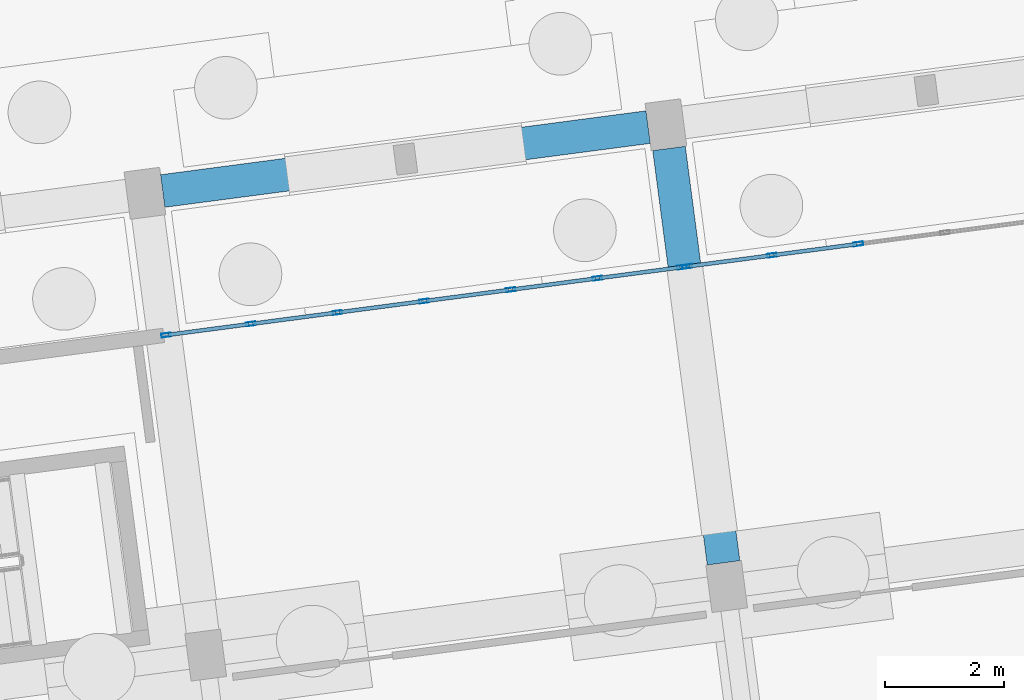
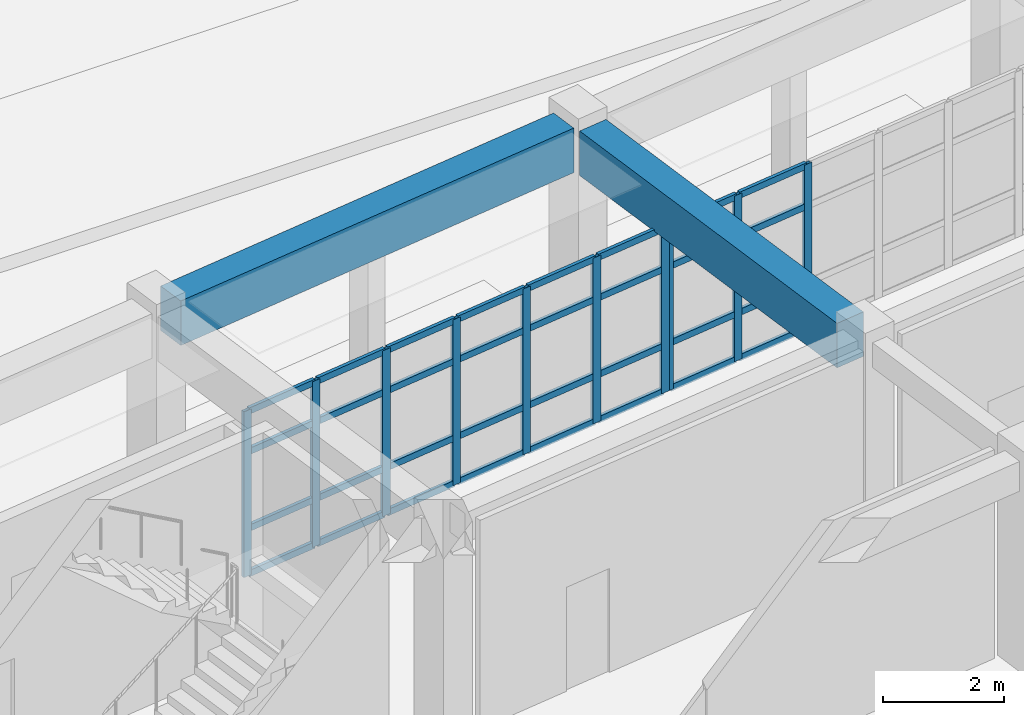
# One storey, part 66 of 154: 42 members, 2 beams, 2 elements without a shape of their own.
"""IFC4 building model written with IfcOpenShell, lengths in metres."""

import ifcopenshell
import ifcopenshell.guid

model = None  # the IFC model being written
_history = None  # IfcOwnerHistory: only IFC2X3 demands one
_inside = {}  # id of a spatial element -> (the spatial element, [elements in it])
_under = {}  # id of a project, library or spatial element -> (it, [spatial elements below it])
_declared = {}  # id of a project -> (the project, [libraries it declares])
_typed = {}  # id of a type object -> (the type object, [elements of that type])
_made_of = {}  # id of a material, layer set ... -> (it, [elements and type objects made of it])


def new_model(schema):
    """Start an empty IFC model of exactly this schema.

    Asked for "IFC4X3", IfcOpenShell would pick the latest addendum, in which some entities
    have other attributes; the version numbers below select the first issue.
    IFC2X3 requires an IfcOwnerHistory on every rooted entity: one is made here for all.
    """
    global model, _history
    if schema == "IFC4X3":
        model = ifcopenshell.file(schema_version=(4, 3, 0, 0))
    else:
        model = ifcopenshell.file(schema=schema)
    _inside.clear()
    _under.clear()
    _declared.clear()
    _typed.clear()
    _made_of.clear()
    _history = None
    if model.schema == "IFC2X3":
        org = make("IfcOrganization", Name="unknown")
        user = make(
            "IfcPersonAndOrganization",
            ThePerson=make("IfcPerson", FamilyName="unknown"),
            TheOrganization=org,
        )
        app = make(
            "IfcApplication",
            ApplicationDeveloper=org,
            Version="unknown",
            ApplicationFullName="unknown",
            ApplicationIdentifier="unknown",
        )
        _history = make(
            "IfcOwnerHistory",
            OwningUser=user,
            OwningApplication=app,
            ChangeAction="ADDED",
            CreationDate=0,
        )
    return model


def make(cls, **values):
    """One entity of the class cls with the attributes given. An attribute that is None is left unset."""
    return model.create_entity(
        cls, **{name: value for name, value in values.items() if value is not None}
    )


def rooted(cls, **values):
    """An entity with a GlobalId (a new one), such as an element, a storey or a relation."""
    return make(cls, GlobalId=ifcopenshell.guid.new(), OwnerHistory=_history, **values)


def si_unit(unit_type, name, prefix=None):
    """IfcSIUnit, for example si_unit("LENGTHUNIT", "METRE", prefix="MILLI")."""
    return make("IfcSIUnit", UnitType=unit_type, Prefix=prefix, Name=name)


def assignment(units):
    """IfcUnitAssignment: the units of a project."""
    return None if units is None else make("IfcUnitAssignment", Units=units)


def point(xyz):
    """IfcCartesianPoint."""
    return None if xyz is None else make("IfcCartesianPoint", Coordinates=xyz)


def direction(xyz):
    """IfcDirection."""
    return None if xyz is None else make("IfcDirection", DirectionRatios=xyz)


def frame(location, z_axis=None, x_axis=None):
    """IfcAxis2Placement3D, a coordinate frame: its origin and axes. An axis left out is left unset."""
    return make(
        "IfcAxis2Placement3D",
        Location=point(location),
        Axis=direction(z_axis),
        RefDirection=direction(x_axis),
    )


def frame_2d(location, x_axis=None):
    """IfcAxis2Placement2D, a coordinate frame in the plane: its origin and x axis."""
    return make(
        "IfcAxis2Placement2D", Location=point(location), RefDirection=direction(x_axis)
    )


def origin():
    """The frame at (0, 0, 0) with its axes left unset."""
    return frame((0.0, 0.0, 0.0))


def origin_2d():
    """The frame at (0, 0) in the plane with its x axis left unset."""
    return frame_2d((0.0, 0.0))


def place(relative_to, where):
    """IfcLocalPlacement: puts the frame where relative to a parent placement (None: the world)."""
    return make(
        "IfcLocalPlacement", PlacementRelTo=relative_to, RelativePlacement=where
    )


def context(
    kind, dimensions, precision=None, world=None, true_north=None, identifier=None
):
    """IfcGeometricRepresentationContext, for example the 3D "Model" context."""
    return make(
        "IfcGeometricRepresentationContext",
        ContextIdentifier=identifier,
        ContextType=kind,
        CoordinateSpaceDimension=dimensions,
        Precision=precision,
        WorldCoordinateSystem=world,
        TrueNorth=true_north,
    )


def subcontext(parent, identifier, kind, view, scale=None):
    """IfcGeometricRepresentationSubContext, for example "Body" below "Model"."""
    return make(
        "IfcGeometricRepresentationSubContext",
        ContextIdentifier=identifier,
        ContextType=kind,
        ParentContext=parent,
        TargetScale=scale,
        TargetView=view,
    )


def project(units=None, contexts=None):
    """IfcProject with its units and contexts."""
    return rooted(
        "IfcProject",
        Name="project",
        RepresentationContexts=contexts,
        UnitsInContext=assignment(units),
    )


def spatial(cls, under=None, at=None, **own):
    """A site, building, storey or space (cls), placed at a placement, below another one or the project."""
    s = rooted(cls, ObjectPlacement=at, **own)
    if under is not None:
        _under.setdefault(under.id(), (under, []))[1].append(s)
    return s


def profile(cls, at=None, kind="AREA", **sizes):
    """A parametric profile (cls). Its sizes go by their IFC names, for example OverallWidth=200.0."""
    return make(cls, ProfileType=kind, Position=at, **sizes)


def rectangle(**sizes):
    """IfcRectangleProfileDef."""
    return profile("IfcRectangleProfileDef", **sizes)


def hollow_rectangle(**sizes):
    """IfcRectangleHollowProfileDef."""
    return profile("IfcRectangleHollowProfileDef", **sizes)


def extrude(swept, where, along, depth):
    """IfcExtrudedAreaSolid: the profile swept, set in the frame where, extruded along a direction by depth."""
    return make(
        "IfcExtrudedAreaSolid",
        SweptArea=swept,
        Position=where,
        ExtrudedDirection=direction(along),
        Depth=depth,
    )


def shape(context_of_items, identifier, shape_type, items):
    """IfcShapeRepresentation: the items that make up one representation, for example the "Body"."""
    return make(
        "IfcShapeRepresentation",
        ContextOfItems=context_of_items,
        RepresentationIdentifier=identifier,
        RepresentationType=shape_type,
        Items=items,
    )


def material(Name=None, Category=None):
    """IfcMaterial."""
    return make("IfcMaterial", Name=Name, Category=Category)


def material_profile(
    of_material, cross_section, Name=None, Category=None, Priority=None
):
    """IfcMaterialProfile: a cross section and its material."""
    return make(
        "IfcMaterialProfile",
        Name=Name,
        Material=of_material,
        Profile=cross_section,
        Priority=Priority,
        Category=Category,
    )


def profile_set(profiles, Name=None, composite=None):
    """IfcMaterialProfileSet."""
    return make(
        "IfcMaterialProfileSet",
        Name=Name,
        MaterialProfiles=profiles,
        CompositeProfile=composite,
    )


def made_of(thing, what):
    """Note that an element or type object is made of a material, layer set ...; save() writes the relation."""
    if what is not None:
        _made_of.setdefault(what.id(), (what, []))[1].append(thing)
    return thing


def type_object(cls, material=None, **own):
    """A type object (cls), such as IfcWallType, which elements share."""
    return made_of(rooted(cls, **own), material)


def element(
    cls,
    number,
    at=None,
    inside=None,
    cuts=None,
    type_object=None,
    material=None,
    context=None,
    identifier="Body",
    shape_type=None,
    held_by="IfcProductDefinitionShape",
    body=None,
    shapes=None,
    **own,
):
    """One element of the class cls, such as IfcWall. Its Tag is "e" and its number.

    at: its placement. inside: the storey or other place that contains it. cuts: it is an
    opening in that element (IfcRelVoidsElement). A single representation is given by context,
    identifier, shape_type and body (its items); several are given by shapes. held_by: the class
    of the entity that holds the representations. save() writes the other relations.
    """
    e = rooted(cls, Tag="e%d" % number, ObjectPlacement=at, **own)
    if body is not None:
        shapes = [shape(context, identifier, shape_type, body)]
    if shapes is not None:
        e.Representation = make(held_by, Representations=shapes)
    if inside is not None:
        _inside.setdefault(inside.id(), (inside, []))[1].append(e)
    if cuts is not None:
        rooted(
            "IfcRelVoidsElement", RelatingBuildingElement=cuts, RelatedOpeningElement=e
        )
    if type_object is not None:
        _typed.setdefault(type_object.id(), (type_object, []))[1].append(e)
    return made_of(e, material)


def aggregate(whole, parts):
    """IfcRelAggregates: a whole, such as a stair, and the parts it consists of."""
    return rooted("IfcRelAggregates", RelatingObject=whole, RelatedObjects=parts)


def save(model, path):
    """Write the relations noted so far, then the file.

    IfcRelAggregates (storeys below a building ...), IfcRelContainedInSpatialStructure (elements
    in a storey), IfcRelDefinesByType, IfcRelAssociatesMaterial and IfcRelDeclares: one each for
    every whole, place, type object, material and project.
    """
    for whole, parts in _under.values():
        aggregate(whole, parts)
    for where, things in _inside.values():
        rooted(
            "IfcRelContainedInSpatialStructure",
            RelatedElements=things,
            RelatingStructure=where,
        )
    for kind, things in _typed.values():
        rooted("IfcRelDefinesByType", RelatedObjects=things, RelatingType=kind)
    for what, things in _made_of.values():
        rooted("IfcRelAssociatesMaterial", RelatedObjects=things, RelatingMaterial=what)
    for by, libraries in _declared.values():
        rooted("IfcRelDeclares", RelatingContext=by, RelatedDefinitions=libraries)
    model.write(path)


model = new_model("IFC4")

# Units and contexts
model_context = context("Model", 3, precision=1e-05, world=origin(), true_north=direction((0.0, 1.0)))
body_context = subcontext(model_context, "Body", "Model", "MODEL_VIEW")
ifc_project = project(units=[si_unit("LENGTHUNIT", "METRE"), si_unit("AREAUNIT", "SQUARE_METRE"), si_unit("VOLUMEUNIT", "CUBIC_METRE"), si_unit("PLANEANGLEUNIT", "RADIAN"), si_unit("MASSUNIT", "GRAM", prefix="KILO")], contexts=[model_context])

# Site, building, storey
site_placement = place(None, origin())
site = spatial("IfcSite", under=ifc_project, at=site_placement, CompositionType="ELEMENT")
building_placement = place(site_placement, origin())
building = spatial("IfcBuilding", under=site, at=building_placement, Name="Kestramere Prow Commons", CompositionType="ELEMENT")
storey_placement = place(building_placement, origin())
storey = spatial("IfcBuildingStorey", under=building, at=storey_placement, Name="L00", CompositionType="ELEMENT", Elevation=0.0)

# Curtain wall, members
ifc_material_1 = material(Name="Anodised Aluminium and Low-E Glass", Category="aluminium")
curtain_wall_type = type_object("IfcCurtainWallType", Name="CW-01 Glazed Curtain Wall 8780x3350", PredefinedType="USERDEFINED", material=ifc_material_1)
curtain_wall_1_placement = place(storey_placement, origin())
curtain_wall_1 = element("IfcCurtainWall", 1, at=curtain_wall_1_placement, inside=storey, type_object=curtain_wall_type, Name="Block A L00 North Courtyard Storefront 4", ObjectType="GLAZED CURTAIN WALL", PredefinedType="USERDEFINED")
ifc_material_2 = material(Name="Anodised Aluminium 6063-T6", Category="aluminium")
ifc_material_profile_1 = material_profile(ifc_material_2, hollow_rectangle(XDim=0.06494140625, YDim=0.159912109375, WallThickness=0.00390625, at=origin_2d()), Name="ALU-MUL 65x160")
ifc_profile_set_1 = profile_set([ifc_material_profile_1], Name="Anodised Aluminium 6063-T6")
member_type_1 = type_object("IfcMemberType", Name="CW-MUL-65x160", PredefinedType="MULLION", material=ifc_profile_set_1)
member_1_placement = place(storey_placement, frame((35.119140625, 92.90087890625, 0.0), z_axis=(0.0, 0.0, 1.0), x_axis=(-0.130526194106, 0.991444861125, 0.0)))
member_1 = element("IfcMember", 2, at=member_1_placement, type_object=member_type_1, Name="CW-01 mullion 1", PredefinedType="MULLION", context=body_context, shape_type="SweptSolid", body=[
    extrude(hollow_rectangle(XDim=0.06494140625, YDim=0.159912109375, WallThickness=0.00390625, at=origin_2d()), origin(), (0.0, 0.0, 1.0), 3.35009765625),
])
member_2_placement = place(storey_placement, frame((36.53759765625, 93.087646484375, 0.0), z_axis=(0.0, 0.0, 1.0), x_axis=(-0.130526194106, 0.991444861125, 0.0)))
member_2 = element("IfcMember", 3, at=member_2_placement, type_object=member_type_1, Name="CW-01 mullion 2", PredefinedType="MULLION", context=body_context, shape_type="SweptSolid", body=[
    extrude(hollow_rectangle(XDim=0.06494140625, YDim=0.159912109375, WallThickness=0.00390625, at=origin_2d()), origin(), (0.0, 0.0, 1.0), 3.35009765625),
])
member_3_placement = place(storey_placement, frame((37.988525390625, 93.278564453125, 0.0), z_axis=(0.0, 0.0, 1.0), x_axis=(-0.130526194106, 0.991444861125, 0.0)))
member_3 = element("IfcMember", 4, at=member_3_placement, type_object=member_type_1, Name="CW-01 mullion 3", PredefinedType="MULLION", context=body_context, shape_type="SweptSolid", body=[
    extrude(hollow_rectangle(XDim=0.06494140625, YDim=0.159912109375, WallThickness=0.00390625, at=origin_2d()), origin(), (0.0, 0.0, 1.0), 3.35009765625),
])
member_4_placement = place(storey_placement, frame((39.439208984375, 93.4697265625, 0.0), z_axis=(0.0, 0.0, 1.0), x_axis=(-0.130526194106, 0.991444861125, 0.0)))
member_4 = element("IfcMember", 5, at=member_4_placement, type_object=member_type_1, Name="CW-01 mullion 4", PredefinedType="MULLION", context=body_context, shape_type="SweptSolid", body=[
    extrude(hollow_rectangle(XDim=0.06494140625, YDim=0.159912109375, WallThickness=0.00390625, at=origin_2d()), origin(), (0.0, 0.0, 1.0), 3.35009765625),
])
member_5_placement = place(storey_placement, frame((40.89013671875, 93.66064453125, 0.0), z_axis=(0.0, 0.0, 1.0), x_axis=(-0.130526194106, 0.991444861125, 0.0)))
member_5 = element("IfcMember", 6, at=member_5_placement, type_object=member_type_1, Name="CW-01 mullion 5", PredefinedType="MULLION", context=body_context, shape_type="SweptSolid", body=[
    extrude(hollow_rectangle(XDim=0.06494140625, YDim=0.159912109375, WallThickness=0.00390625, at=origin_2d()), origin(), (0.0, 0.0, 1.0), 3.35009765625),
])
member_6_placement = place(storey_placement, frame((42.3408203125, 93.8515625, 0.0), z_axis=(0.0, 0.0, 1.0), x_axis=(-0.130526194106, 0.991444861125, 0.0)))
member_6 = element("IfcMember", 7, at=member_6_placement, type_object=member_type_1, Name="CW-01 mullion 6", PredefinedType="MULLION", context=body_context, shape_type="SweptSolid", body=[
    extrude(hollow_rectangle(XDim=0.06494140625, YDim=0.159912109375, WallThickness=0.00390625, at=origin_2d()), origin(), (0.0, 0.0, 1.0), 3.35009765625),
])
member_7_placement = place(storey_placement, frame((43.759521484375, 94.038330078125, 0.0), z_axis=(0.0, 0.0, 1.0), x_axis=(-0.130526194106, 0.991444861125, 0.0)))
member_7 = element("IfcMember", 8, at=member_7_placement, type_object=member_type_1, Name="CW-01 mullion 7", PredefinedType="MULLION", context=body_context, shape_type="SweptSolid", body=[
    extrude(hollow_rectangle(XDim=0.06494140625, YDim=0.159912109375, WallThickness=0.00390625, at=origin_2d()), origin(), (0.0, 0.0, 1.0), 3.35009765625),
])

curtain_wall_2_placement = place(storey_placement, origin())
curtain_wall_2 = element("IfcCurtainWall", 9, at=curtain_wall_2_placement, inside=storey, type_object=curtain_wall_type, Name="Block A L00 North Courtyard Storefront 5", ObjectType="GLAZED CURTAIN WALL", PredefinedType="USERDEFINED")
member_8_placement = place(storey_placement, frame((43.84375, 94.049560546875, 0.0), z_axis=(0.0, 0.0, 1.0), x_axis=(-0.130526208849, 0.991444859185, 0.0)))
member_8 = element("IfcMember", 10, at=member_8_placement, type_object=member_type_1, Name="CW-01 mullion 1", PredefinedType="MULLION", context=body_context, shape_type="SweptSolid", body=[
    extrude(hollow_rectangle(XDim=0.06494140625, YDim=0.159912109375, WallThickness=0.00390625, at=origin_2d()), origin(), (0.0, 0.0, 1.0), 3.35009765625),
])
member_9_placement = place(storey_placement, frame((45.26220703125, 94.236328125, 0.0), z_axis=(0.0, 0.0, 1.0), x_axis=(-0.130526208849, 0.991444859185, 0.0)))
member_9 = element("IfcMember", 11, at=member_9_placement, type_object=member_type_1, Name="CW-01 mullion 2", PredefinedType="MULLION", context=body_context, shape_type="SweptSolid", body=[
    extrude(hollow_rectangle(XDim=0.06494140625, YDim=0.159912109375, WallThickness=0.00390625, at=origin_2d()), origin(), (0.0, 0.0, 1.0), 3.35009765625),
])
member_10_placement = place(storey_placement, frame((46.713134765625, 94.42724609375, 0.0), z_axis=(0.0, 0.0, 1.0), x_axis=(-0.130526208849, 0.991444859185, 0.0)))
member_10 = element("IfcMember", 12, at=member_10_placement, type_object=member_type_1, Name="CW-01 mullion 3", PredefinedType="MULLION", context=body_context, shape_type="SweptSolid", body=[
    extrude(hollow_rectangle(XDim=0.06494140625, YDim=0.159912109375, WallThickness=0.00390625, at=origin_2d()), origin(), (0.0, 0.0, 1.0), 3.35009765625),
])

# Member
ifc_material_profile_2 = material_profile(ifc_material_2, hollow_rectangle(XDim=0.06494140625, YDim=0.1298828125, WallThickness=0.00390625, at=origin_2d()), Name="ALU-TRN 65x130")
ifc_profile_set_2 = profile_set([ifc_material_profile_2], Name="Anodised Aluminium 6063-T6")
member_type_2 = type_object("IfcMemberType", Name="CW-TRN-65x130", PredefinedType="USERDEFINED", material=ifc_profile_set_2)
member_11_placement = place(storey_placement, frame((35.151123046875, 92.905029296875, 0.032470703125), z_axis=(0.991428116695, 0.130653317704, 0.0), x_axis=(-0.130653317704, 0.991428116695, 0.0)))
member_11 = element("IfcMember", 13, at=member_11_placement, type_object=member_type_2, Name="CW-01 transom 1.1", ObjectType="TRANSOM", PredefinedType="USERDEFINED", context=body_context, shape_type="SweptSolid", body=[
    extrude(hollow_rectangle(XDim=0.06494140625, YDim=0.1298828125, WallThickness=0.00390625, at=origin_2d()), origin(), (0.0, 0.0, 1.0), 1.365966796875),
])

member_12_placement = place(storey_placement, frame((35.151123046875, 92.905029296875, 0.949951171875), z_axis=(0.991428116695, 0.130653317704, 0.0), x_axis=(-0.130653317704, 0.991428116695, 0.0)))
member_12 = element("IfcMember", 14, at=member_12_placement, type_object=member_type_2, Name="CW-01 transom 1.2", ObjectType="TRANSOM", PredefinedType="USERDEFINED", context=body_context, shape_type="SweptSolid", body=[
    extrude(hollow_rectangle(XDim=0.06494140625, YDim=0.1298828125, WallThickness=0.00390625, at=origin_2d()), origin(), (0.0, 0.0, 1.0), 1.365966796875),
])

member_13_placement = place(storey_placement, frame((35.151123046875, 92.905029296875, 2.5), z_axis=(0.991428116695, 0.130653317704, 0.0), x_axis=(-0.130653317704, 0.991428116695, 0.0)))
member_13 = element("IfcMember", 15, at=member_13_placement, type_object=member_type_2, Name="CW-01 transom 1.3", ObjectType="TRANSOM", PredefinedType="USERDEFINED", context=body_context, shape_type="SweptSolid", body=[
    extrude(hollow_rectangle(XDim=0.06494140625, YDim=0.1298828125, WallThickness=0.00390625, at=origin_2d()), origin(), (0.0, 0.0, 1.0), 1.365966796875),
])

member_14_placement = place(storey_placement, frame((35.151123046875, 92.905029296875, 3.3173828125), z_axis=(0.991428116695, 0.130653317704, 0.0), x_axis=(-0.130653317704, 0.991428116695, 0.0)))
member_14 = element("IfcMember", 16, at=member_14_placement, type_object=member_type_2, Name="CW-01 transom 1.4", ObjectType="TRANSOM", PredefinedType="USERDEFINED", context=body_context, shape_type="SweptSolid", body=[
    extrude(hollow_rectangle(XDim=0.06494140625, YDim=0.1298828125, WallThickness=0.00390625, at=origin_2d()), origin(), (0.0, 0.0, 1.0), 1.365966796875),
])

member_15_placement = place(storey_placement, frame((36.56982421875, 93.091796875, 0.032470703125), z_axis=(0.991437054742, 0.130585475779, 0.0), x_axis=(-0.130585475779, 0.991437054742, 0.0)))
member_15 = element("IfcMember", 17, at=member_15_placement, type_object=member_type_2, Name="CW-01 transom 2.1", ObjectType="TRANSOM", PredefinedType="USERDEFINED", context=body_context, shape_type="SweptSolid", body=[
    extrude(hollow_rectangle(XDim=0.06494140625, YDim=0.1298828125, WallThickness=0.00390625, at=origin_2d()), origin(), (0.0, 0.0, 1.0), 1.3984375),
])

member_16_placement = place(storey_placement, frame((36.56982421875, 93.091796875, 0.949951171875), z_axis=(0.991437054742, 0.130585475779, 0.0), x_axis=(-0.130585475779, 0.991437054742, 0.0)))
member_16 = element("IfcMember", 18, at=member_16_placement, type_object=member_type_2, Name="CW-01 transom 2.2", ObjectType="TRANSOM", PredefinedType="USERDEFINED", context=body_context, shape_type="SweptSolid", body=[
    extrude(hollow_rectangle(XDim=0.06494140625, YDim=0.1298828125, WallThickness=0.00390625, at=origin_2d()), origin(), (0.0, 0.0, 1.0), 1.3984375),
])

member_17_placement = place(storey_placement, frame((36.56982421875, 93.091796875, 2.5), z_axis=(0.991437054742, 0.130585475779, 0.0), x_axis=(-0.130585475779, 0.991437054742, 0.0)))
member_17 = element("IfcMember", 19, at=member_17_placement, type_object=member_type_2, Name="CW-01 transom 2.3", ObjectType="TRANSOM", PredefinedType="USERDEFINED", context=body_context, shape_type="SweptSolid", body=[
    extrude(hollow_rectangle(XDim=0.06494140625, YDim=0.1298828125, WallThickness=0.00390625, at=origin_2d()), origin(), (0.0, 0.0, 1.0), 1.3984375),
])

member_18_placement = place(storey_placement, frame((36.56982421875, 93.091796875, 3.3173828125), z_axis=(0.991437054742, 0.130585475779, 0.0), x_axis=(-0.130585475779, 0.991437054742, 0.0)))
member_18 = element("IfcMember", 20, at=member_18_placement, type_object=member_type_2, Name="CW-01 transom 2.4", ObjectType="TRANSOM", PredefinedType="USERDEFINED", context=body_context, shape_type="SweptSolid", body=[
    extrude(hollow_rectangle(XDim=0.06494140625, YDim=0.1298828125, WallThickness=0.00390625, at=origin_2d()), origin(), (0.0, 0.0, 1.0), 1.3984375),
])

member_19_placement = place(storey_placement, frame((38.020751953125, 93.282958984375, 0.032470703125), z_axis=(0.991456672692, 0.130436444963, 0.0), x_axis=(-0.130436444963, 0.991456672692, 0.0)))
member_19 = element("IfcMember", 21, at=member_19_placement, type_object=member_type_2, Name="CW-01 transom 3.1", ObjectType="TRANSOM", PredefinedType="USERDEFINED", context=body_context, shape_type="SweptSolid", body=[
    extrude(hollow_rectangle(XDim=0.06494140625, YDim=0.1298828125, WallThickness=0.00390625, at=origin_2d()), origin(), (0.0, 0.0, 1.0), 1.398193359375),
])

member_20_placement = place(storey_placement, frame((38.020751953125, 93.282958984375, 0.949951171875), z_axis=(0.991456672692, 0.130436444963, 0.0), x_axis=(-0.130436444963, 0.991456672692, 0.0)))
member_20 = element("IfcMember", 22, at=member_20_placement, type_object=member_type_2, Name="CW-01 transom 3.2", ObjectType="TRANSOM", PredefinedType="USERDEFINED", context=body_context, shape_type="SweptSolid", body=[
    extrude(hollow_rectangle(XDim=0.06494140625, YDim=0.1298828125, WallThickness=0.00390625, at=origin_2d()), origin(), (0.0, 0.0, 1.0), 1.398193359375),
])

member_21_placement = place(storey_placement, frame((38.020751953125, 93.282958984375, 2.5), z_axis=(0.991456672692, 0.130436444963, 0.0), x_axis=(-0.130436444963, 0.991456672692, 0.0)))
member_21 = element("IfcMember", 23, at=member_21_placement, type_object=member_type_2, Name="CW-01 transom 3.3", ObjectType="TRANSOM", PredefinedType="USERDEFINED", context=body_context, shape_type="SweptSolid", body=[
    extrude(hollow_rectangle(XDim=0.06494140625, YDim=0.1298828125, WallThickness=0.00390625, at=origin_2d()), origin(), (0.0, 0.0, 1.0), 1.398193359375),
])

member_22_placement = place(storey_placement, frame((38.020751953125, 93.282958984375, 3.3173828125), z_axis=(0.991456672692, 0.130436444963, 0.0), x_axis=(-0.130436444963, 0.991456672692, 0.0)))
member_22 = element("IfcMember", 24, at=member_22_placement, type_object=member_type_2, Name="CW-01 transom 3.4", ObjectType="TRANSOM", PredefinedType="USERDEFINED", context=body_context, shape_type="SweptSolid", body=[
    extrude(hollow_rectangle(XDim=0.06494140625, YDim=0.1298828125, WallThickness=0.00390625, at=origin_2d()), origin(), (0.0, 0.0, 1.0), 1.398193359375),
])

member_23_placement = place(storey_placement, frame((39.471435546875, 93.473876953125, 0.032470703125), z_axis=(0.991437054742, 0.130585475779, 0.0), x_axis=(-0.130585475779, 0.991437054742, 0.0)))
member_23 = element("IfcMember", 25, at=member_23_placement, type_object=member_type_2, Name="CW-01 transom 4.1", ObjectType="TRANSOM", PredefinedType="USERDEFINED", context=body_context, shape_type="SweptSolid", body=[
    extrude(hollow_rectangle(XDim=0.06494140625, YDim=0.1298828125, WallThickness=0.00390625, at=origin_2d()), origin(), (0.0, 0.0, 1.0), 1.3984375),
])

member_24_placement = place(storey_placement, frame((39.471435546875, 93.473876953125, 0.949951171875), z_axis=(0.991437054742, 0.130585475779, 0.0), x_axis=(-0.130585475779, 0.991437054742, 0.0)))
member_24 = element("IfcMember", 26, at=member_24_placement, type_object=member_type_2, Name="CW-01 transom 4.2", ObjectType="TRANSOM", PredefinedType="USERDEFINED", context=body_context, shape_type="SweptSolid", body=[
    extrude(hollow_rectangle(XDim=0.06494140625, YDim=0.1298828125, WallThickness=0.00390625, at=origin_2d()), origin(), (0.0, 0.0, 1.0), 1.3984375),
])

member_25_placement = place(storey_placement, frame((39.471435546875, 93.473876953125, 2.5), z_axis=(0.991437054742, 0.130585475779, 0.0), x_axis=(-0.130585475779, 0.991437054742, 0.0)))
member_25 = element("IfcMember", 27, at=member_25_placement, type_object=member_type_2, Name="CW-01 transom 4.3", ObjectType="TRANSOM", PredefinedType="USERDEFINED", context=body_context, shape_type="SweptSolid", body=[
    extrude(hollow_rectangle(XDim=0.06494140625, YDim=0.1298828125, WallThickness=0.00390625, at=origin_2d()), origin(), (0.0, 0.0, 1.0), 1.3984375),
])

member_26_placement = place(storey_placement, frame((39.471435546875, 93.473876953125, 3.3173828125), z_axis=(0.991437054742, 0.130585475779, 0.0), x_axis=(-0.130585475779, 0.991437054742, 0.0)))
member_26 = element("IfcMember", 28, at=member_26_placement, type_object=member_type_2, Name="CW-01 transom 4.4", ObjectType="TRANSOM", PredefinedType="USERDEFINED", context=body_context, shape_type="SweptSolid", body=[
    extrude(hollow_rectangle(XDim=0.06494140625, YDim=0.1298828125, WallThickness=0.00390625, at=origin_2d()), origin(), (0.0, 0.0, 1.0), 1.3984375),
])

member_27_placement = place(storey_placement, frame((40.92236328125, 93.664794921875, 0.032470703125), z_axis=(0.99143407694, 0.130608081992, 0.0), x_axis=(-0.130608081992, 0.99143407694, 0.0)))
member_27 = element("IfcMember", 29, at=member_27_placement, type_object=member_type_2, Name="CW-01 transom 5.1", ObjectType="TRANSOM", PredefinedType="USERDEFINED", context=body_context, shape_type="SweptSolid", body=[
    extrude(hollow_rectangle(XDim=0.06494140625, YDim=0.1298828125, WallThickness=0.00390625, at=origin_2d()), origin(), (0.0, 0.0, 1.0), 1.398193359375),
])

member_28_placement = place(storey_placement, frame((40.92236328125, 93.664794921875, 0.949951171875), z_axis=(0.99143407694, 0.130608081992, 0.0), x_axis=(-0.130608081992, 0.99143407694, 0.0)))
member_28 = element("IfcMember", 30, at=member_28_placement, type_object=member_type_2, Name="CW-01 transom 5.2", ObjectType="TRANSOM", PredefinedType="USERDEFINED", context=body_context, shape_type="SweptSolid", body=[
    extrude(hollow_rectangle(XDim=0.06494140625, YDim=0.1298828125, WallThickness=0.00390625, at=origin_2d()), origin(), (0.0, 0.0, 1.0), 1.398193359375),
])

member_29_placement = place(storey_placement, frame((40.92236328125, 93.664794921875, 2.5), z_axis=(0.99143407694, 0.130608081992, 0.0), x_axis=(-0.130608081992, 0.99143407694, 0.0)))
member_29 = element("IfcMember", 31, at=member_29_placement, type_object=member_type_2, Name="CW-01 transom 5.3", ObjectType="TRANSOM", PredefinedType="USERDEFINED", context=body_context, shape_type="SweptSolid", body=[
    extrude(hollow_rectangle(XDim=0.06494140625, YDim=0.1298828125, WallThickness=0.00390625, at=origin_2d()), origin(), (0.0, 0.0, 1.0), 1.398193359375),
])

member_30_placement = place(storey_placement, frame((40.92236328125, 93.664794921875, 3.3173828125), z_axis=(0.99143407694, 0.130608081992, 0.0), x_axis=(-0.130608081992, 0.99143407694, 0.0)))
member_30 = element("IfcMember", 32, at=member_30_placement, type_object=member_type_2, Name="CW-01 transom 5.4", ObjectType="TRANSOM", PredefinedType="USERDEFINED", context=body_context, shape_type="SweptSolid", body=[
    extrude(hollow_rectangle(XDim=0.06494140625, YDim=0.1298828125, WallThickness=0.00390625, at=origin_2d()), origin(), (0.0, 0.0, 1.0), 1.398193359375),
])

member_31_placement = place(storey_placement, frame((42.373046875, 93.85595703125, 0.032470703125), z_axis=(0.991451253468, 0.130477630256, 0.0), x_axis=(-0.130477630256, 0.991451253468, 0.0)))
member_31 = element("IfcMember", 33, at=member_31_placement, type_object=member_type_2, Name="CW-01 transom 6.1", ObjectType="TRANSOM", PredefinedType="USERDEFINED", context=body_context, shape_type="SweptSolid", body=[
    extrude(hollow_rectangle(XDim=0.06494140625, YDim=0.1298828125, WallThickness=0.00390625, at=origin_2d()), origin(), (0.0, 0.0, 1.0), 1.365966796875),
])

member_32_placement = place(storey_placement, frame((42.373046875, 93.85595703125, 0.949951171875), z_axis=(0.991451253468, 0.130477630256, 0.0), x_axis=(-0.130477630256, 0.991451253468, 0.0)))
member_32 = element("IfcMember", 34, at=member_32_placement, type_object=member_type_2, Name="CW-01 transom 6.2", ObjectType="TRANSOM", PredefinedType="USERDEFINED", context=body_context, shape_type="SweptSolid", body=[
    extrude(hollow_rectangle(XDim=0.06494140625, YDim=0.1298828125, WallThickness=0.00390625, at=origin_2d()), origin(), (0.0, 0.0, 1.0), 1.365966796875),
])

member_33_placement = place(storey_placement, frame((42.373046875, 93.85595703125, 2.5), z_axis=(0.991451253468, 0.130477630256, 0.0), x_axis=(-0.130477630256, 0.991451253468, 0.0)))
member_33 = element("IfcMember", 35, at=member_33_placement, type_object=member_type_2, Name="CW-01 transom 6.3", ObjectType="TRANSOM", PredefinedType="USERDEFINED", context=body_context, shape_type="SweptSolid", body=[
    extrude(hollow_rectangle(XDim=0.06494140625, YDim=0.1298828125, WallThickness=0.00390625, at=origin_2d()), origin(), (0.0, 0.0, 1.0), 1.365966796875),
])

member_34_placement = place(storey_placement, frame((42.373046875, 93.85595703125, 3.3173828125), z_axis=(0.991451253468, 0.130477630256, 0.0), x_axis=(-0.130477630256, 0.991451253468, 0.0)))
member_34 = element("IfcMember", 36, at=member_34_placement, type_object=member_type_2, Name="CW-01 transom 6.4", ObjectType="TRANSOM", PredefinedType="USERDEFINED", context=body_context, shape_type="SweptSolid", body=[
    extrude(hollow_rectangle(XDim=0.06494140625, YDim=0.1298828125, WallThickness=0.00390625, at=origin_2d()), origin(), (0.0, 0.0, 1.0), 1.365966796875),
])

aggregate(curtain_wall_1, [member_1, member_2, member_3, member_4, member_5, member_6, member_7, member_11, member_12, member_13, member_14, member_15, member_16, member_17, member_18, member_19, member_20, member_21, member_22, member_23, member_24, member_25, member_26, member_27, member_28, member_29, member_30, member_31, member_32, member_33, member_34])

member_35_placement = place(storey_placement, frame((43.8759765625, 94.0537109375, 0.032470703125), z_axis=(0.991451253468, 0.130477630256, 0.0), x_axis=(-0.130477630256, 0.991451253468, 0.0)))
member_35 = element("IfcMember", 37, at=member_35_placement, type_object=member_type_2, Name="CW-01 transom 1.1", ObjectType="TRANSOM", PredefinedType="USERDEFINED", context=body_context, shape_type="SweptSolid", body=[
    extrude(hollow_rectangle(XDim=0.06494140625, YDim=0.1298828125, WallThickness=0.00390625, at=origin_2d()), origin(), (0.0, 0.0, 1.0), 1.365966796875),
])

member_36_placement = place(storey_placement, frame((43.8759765625, 94.0537109375, 0.949951171875), z_axis=(0.991451253468, 0.130477630256, 0.0), x_axis=(-0.130477630256, 0.991451253468, 0.0)))
member_36 = element("IfcMember", 38, at=member_36_placement, type_object=member_type_2, Name="CW-01 transom 1.2", ObjectType="TRANSOM", PredefinedType="USERDEFINED", context=body_context, shape_type="SweptSolid", body=[
    extrude(hollow_rectangle(XDim=0.06494140625, YDim=0.1298828125, WallThickness=0.00390625, at=origin_2d()), origin(), (0.0, 0.0, 1.0), 1.365966796875),
])

member_37_placement = place(storey_placement, frame((43.8759765625, 94.0537109375, 2.5), z_axis=(0.991451253468, 0.130477630256, 0.0), x_axis=(-0.130477630256, 0.991451253468, 0.0)))
member_37 = element("IfcMember", 39, at=member_37_placement, type_object=member_type_2, Name="CW-01 transom 1.3", ObjectType="TRANSOM", PredefinedType="USERDEFINED", context=body_context, shape_type="SweptSolid", body=[
    extrude(hollow_rectangle(XDim=0.06494140625, YDim=0.1298828125, WallThickness=0.00390625, at=origin_2d()), origin(), (0.0, 0.0, 1.0), 1.365966796875),
])

member_38_placement = place(storey_placement, frame((43.8759765625, 94.0537109375, 3.3173828125), z_axis=(0.991451253468, 0.130477630256, 0.0), x_axis=(-0.130477630256, 0.991451253468, 0.0)))
member_38 = element("IfcMember", 40, at=member_38_placement, type_object=member_type_2, Name="CW-01 transom 1.4", ObjectType="TRANSOM", PredefinedType="USERDEFINED", context=body_context, shape_type="SweptSolid", body=[
    extrude(hollow_rectangle(XDim=0.06494140625, YDim=0.1298828125, WallThickness=0.00390625, at=origin_2d()), origin(), (0.0, 0.0, 1.0), 1.365966796875),
])

member_39_placement = place(storey_placement, frame((45.29443359375, 94.240478515625, 0.032470703125), z_axis=(0.991437054742, 0.130585475779, 0.0), x_axis=(-0.130585475779, 0.991437054742, 0.0)))
member_39 = element("IfcMember", 41, at=member_39_placement, type_object=member_type_2, Name="CW-01 transom 2.1", ObjectType="TRANSOM", PredefinedType="USERDEFINED", context=body_context, shape_type="SweptSolid", body=[
    extrude(hollow_rectangle(XDim=0.06494140625, YDim=0.1298828125, WallThickness=0.00390625, at=origin_2d()), origin(), (0.0, 0.0, 1.0), 1.3984375),
])

member_40_placement = place(storey_placement, frame((45.29443359375, 94.240478515625, 0.949951171875), z_axis=(0.991437054742, 0.130585475779, 0.0), x_axis=(-0.130585475779, 0.991437054742, 0.0)))
member_40 = element("IfcMember", 42, at=member_40_placement, type_object=member_type_2, Name="CW-01 transom 2.2", ObjectType="TRANSOM", PredefinedType="USERDEFINED", context=body_context, shape_type="SweptSolid", body=[
    extrude(hollow_rectangle(XDim=0.06494140625, YDim=0.1298828125, WallThickness=0.00390625, at=origin_2d()), origin(), (0.0, 0.0, 1.0), 1.3984375),
])

member_41_placement = place(storey_placement, frame((45.29443359375, 94.240478515625, 2.5), z_axis=(0.991437054742, 0.130585475779, 0.0), x_axis=(-0.130585475779, 0.991437054742, 0.0)))
member_41 = element("IfcMember", 43, at=member_41_placement, type_object=member_type_2, Name="CW-01 transom 2.3", ObjectType="TRANSOM", PredefinedType="USERDEFINED", context=body_context, shape_type="SweptSolid", body=[
    extrude(hollow_rectangle(XDim=0.06494140625, YDim=0.1298828125, WallThickness=0.00390625, at=origin_2d()), origin(), (0.0, 0.0, 1.0), 1.3984375),
])

member_42_placement = place(storey_placement, frame((45.29443359375, 94.240478515625, 3.3173828125), z_axis=(0.991437054742, 0.130585475779, 0.0), x_axis=(-0.130585475779, 0.991437054742, 0.0)))
member_42 = element("IfcMember", 44, at=member_42_placement, type_object=member_type_2, Name="CW-01 transom 2.4", ObjectType="TRANSOM", PredefinedType="USERDEFINED", context=body_context, shape_type="SweptSolid", body=[
    extrude(hollow_rectangle(XDim=0.06494140625, YDim=0.1298828125, WallThickness=0.00390625, at=origin_2d()), origin(), (0.0, 0.0, 1.0), 1.3984375),
])

aggregate(curtain_wall_2, [member_8, member_9, member_10, member_35, member_36, member_37, member_38, member_39, member_40, member_41, member_42])

# Beams
ifc_material_3 = material(Name="Precast concrete C40/50", Category="concrete")
ifc_material_profile_3 = material_profile(ifc_material_3, rectangle(XDim=0.550048828125, YDim=0.89990234375, at=origin_2d()), Name="PC-TG 550x900")
ifc_profile_set_3 = profile_set([ifc_material_profile_3], Name="Precast concrete C40/50")
beam_type = type_object("IfcBeamType", Name="TG-01 PC-TG 550x900 (EX)", PredefinedType="BEAM", material=ifc_profile_set_3)
beam_1_placement = place(storey_placement, frame((35.06103515625, 95.31396484375, 3.800048828125), z_axis=(0.991444969909, 0.13052536781, 0.0), x_axis=(-0.13052536781, 0.991444969909, 0.0)))
element("IfcBeam", 45, at=beam_1_placement, inside=storey, type_object=beam_type, Name="Block A L00 Longitudinal Beam 4-4", PredefinedType="BEAM", context=body_context, shape_type="SweptSolid", body=[
    extrude(rectangle(XDim=0.550048828125, YDim=0.89990234375, at=origin_2d()), origin(), (0.0, 0.0, 1.0), 8.199951171875),
])
beam_2_placement = place(storey_placement, frame((44.454345703125, 89.086669921875, 3.800048828125), z_axis=(-0.130543828916, 0.991442539299, 0.0), x_axis=(-0.991442539299, -0.130543828916, 0.0)))
element("IfcBeam", 46, at=beam_2_placement, inside=storey, type_object=beam_type, Name="Block A L00 N Colonnade Transfer Girder 5", PredefinedType="BEAM", context=body_context, shape_type="SweptSolid", body=[
    extrude(rectangle(XDim=0.550048828125, YDim=0.89990234375, at=origin_2d()), origin(), (0.0, 0.0, 1.0), 7.0),
])

save(model, "model.ifc")
